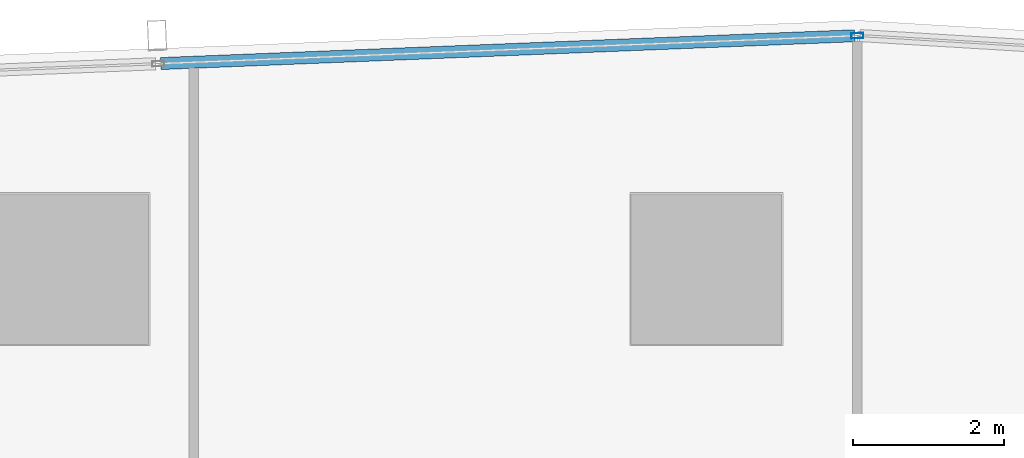
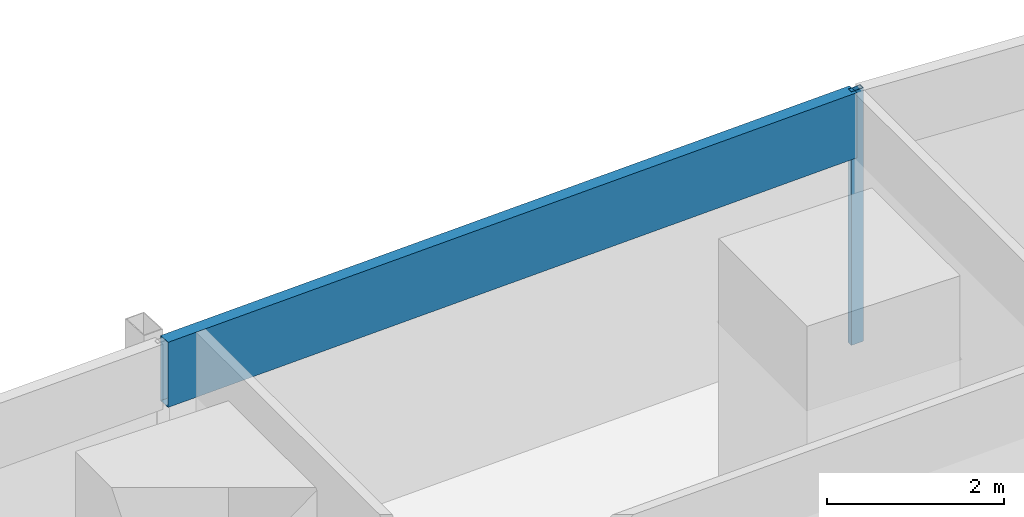
# One storey, part 20 of 36: 2 members, 1 element without a shape of its own.
"""IFC4 building model written with IfcOpenShell, lengths in metres."""

from ifc_helpers import new_model, si_unit, direction, frame, origin, origin_2d, place, context, subcontext, project, spatial, hollow_rectangle, extrude, material, material_profile, profile_set, type_object, element, aggregate, save


model = new_model("IFC4")

# Units and contexts
model_context = context("Model", 3, precision=1e-05, world=origin(), true_north=direction((0.0, 1.0)))
body_context = subcontext(model_context, "Body", "Model", "MODEL_VIEW")
ifc_project = project(units=[si_unit("LENGTHUNIT", "METRE"), si_unit("AREAUNIT", "SQUARE_METRE"), si_unit("VOLUMEUNIT", "CUBIC_METRE"), si_unit("PLANEANGLEUNIT", "RADIAN"), si_unit("MASSUNIT", "GRAM", prefix="KILO")], contexts=[model_context])

# Site, building, storey
site_placement = place(None, origin())
site = spatial("IfcSite", under=ifc_project, at=site_placement, CompositionType="ELEMENT")
building_placement = place(site_placement, origin())
building = spatial("IfcBuilding", under=site, at=building_placement, Name="Rekha Terrace Tower", CompositionType="ELEMENT")
storey_placement = place(building_placement, frame((0.0, 0.0, 144.050048828125)))
storey = spatial("IfcBuildingStorey", under=building, at=storey_placement, Name="L36", CompositionType="ELEMENT", Elevation=144.050048828125)

# Curtain wall, members
ifc_material_1 = material(Name="Aluminium framing", Category="aluminium")
curtain_wall_type = type_object("IfcCurtainWallType", Name="CW3 north unitised glazing", PredefinedType="USERDEFINED", material=ifc_material_1)
curtain_wall_placement = place(storey_placement, origin())
curtain_wall = element("IfcCurtainWall", 1, at=curtain_wall_placement, inside=storey, type_object=curtain_wall_type, Name="CW3 unitised curtain wall", ObjectType="UNITISED CURTAIN WALL", PredefinedType="USERDEFINED")
ifc_material_2 = material(Name="Aluminium mullion section", Category="aluminium")
ifc_material_profile_1 = material_profile(ifc_material_2, hollow_rectangle(XDim=0.070068359375, YDim=0.159912109375, WallThickness=0.00390625, at=origin_2d()), Name="AL RHS 70x160")
ifc_profile_set_1 = profile_set([ifc_material_profile_1], Name="Aluminium mullion section")
member_type_1 = type_object("IfcMemberType", Name="CW3 mullion RHS 70 x 160", PredefinedType="MULLION", material=ifc_profile_set_1)
member_1_placement = place(storey_placement, frame((44.0029296875, 61.8984375, 0.0), z_axis=(0.0, 0.0, 1.0), x_axis=(0.040031987119, -0.999198398721, 0.0)))
member_1 = element("IfcMember", 2, at=member_1_placement, type_object=member_type_1, Name="CW3 mullion 1", PredefinedType="MULLION", context=body_context, shape_type="SweptSolid", body=[
    extrude(hollow_rectangle(XDim=0.070068359375, YDim=0.159912109375, WallThickness=0.00390625, at=origin_2d()), origin(), (0.0, 0.0, 1.0), 3.5),
])
ifc_material_3 = material(Name="Insulated aluminium spandrel box", Category="aluminium")
ifc_material_profile_2 = material_profile(ifc_material_3, hollow_rectangle(XDim=0.159912109375, YDim=0.89990234375, WallThickness=0.0029296875, at=origin_2d()), Name="AL SPANDREL BOX 160x900")
ifc_profile_set_2 = profile_set([ifc_material_profile_2], Name="Insulated aluminium spandrel box")
member_type_2 = type_object("IfcMemberType", Name="CW3 spandrel transom 160 x 900", PredefinedType="USERDEFINED", material=ifc_profile_set_2)
member_2_placement = place(storey_placement, frame((43.968017578125, 61.89697265625, 3.050048828125), z_axis=(-0.999198290018, -0.04003470026, 0.0), x_axis=(0.04003470026, -0.999198290018, 0.0)))
member_2 = element("IfcMember", 3, at=member_2_placement, type_object=member_type_2, Name="CW3 spandrel transom 1", ObjectType="TRANSOM", PredefinedType="USERDEFINED", context=body_context, shape_type="SweptSolid", body=[
    extrude(hollow_rectangle(XDim=0.159912109375, YDim=0.89990234375, WallThickness=0.0029296875, at=origin_2d()), origin(), (0.0, 0.0, 1.0), 9.21435546875),
])
aggregate(curtain_wall, [member_1, member_2])

save(model, "model.ifc")
